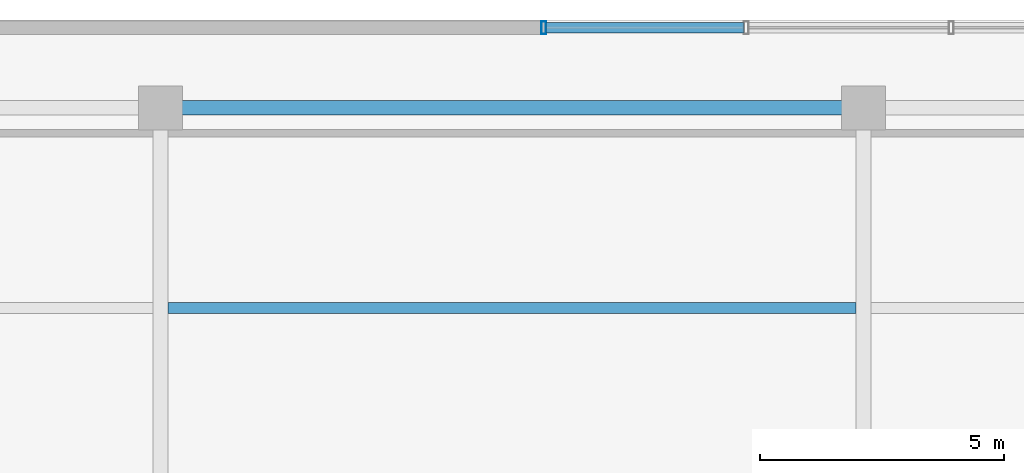
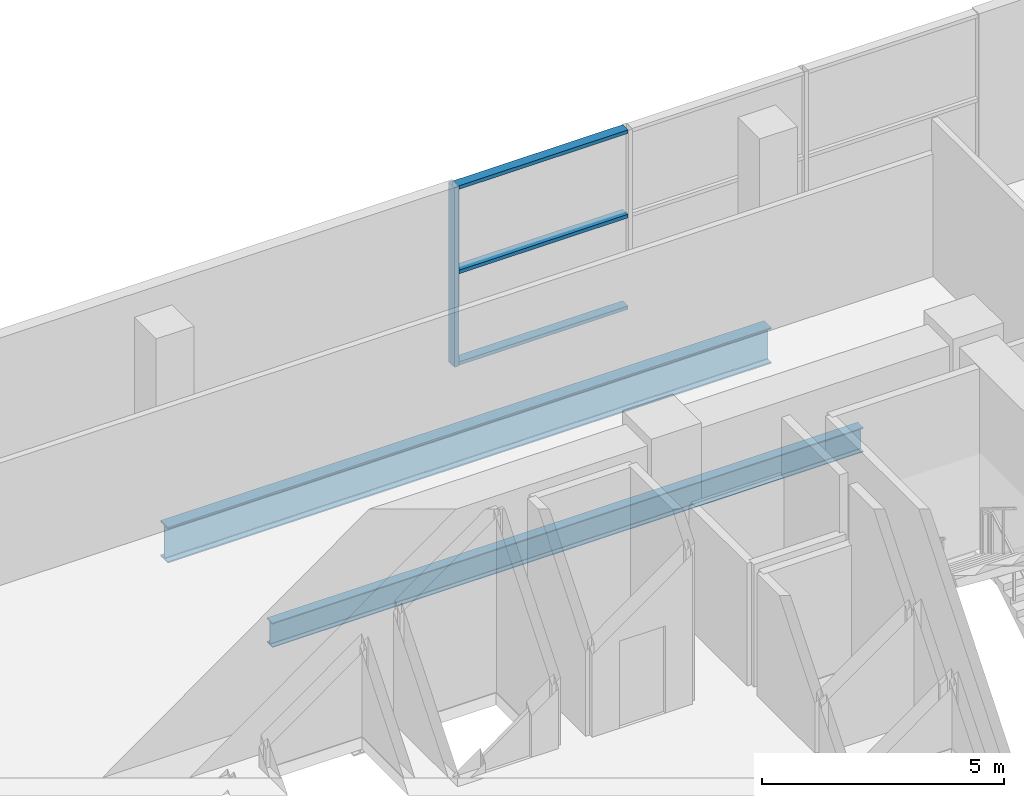
# One storey, part 11 of 22: 4 members, 2 beams, 1 element without a shape of its own.
"""IFC4 building model written with IfcOpenShell, lengths in metres."""

from ifc_helpers import new_model, si_unit, direction, frame, origin, origin_2d, place, context, subcontext, project, spatial, hollow_rectangle, i_section, extrude, source, transform, mapped, material, layer, layer_set, material_profile, profile_set, type_object, element, aggregate, save


model = new_model("IFC4")

# Units and contexts
model_context = context("Model", 3, precision=1e-05, world=origin(), true_north=direction((0.0, 1.0)))
body_context = subcontext(model_context, "Body", "Model", "MODEL_VIEW")
ifc_project = project(units=[si_unit("LENGTHUNIT", "METRE"), si_unit("AREAUNIT", "SQUARE_METRE"), si_unit("VOLUMEUNIT", "CUBIC_METRE"), si_unit("PLANEANGLEUNIT", "RADIAN"), si_unit("MASSUNIT", "GRAM", prefix="KILO")], contexts=[model_context])

# Site, building, storey
site_placement = place(None, origin())
site = spatial("IfcSite", under=ifc_project, at=site_placement, CompositionType="ELEMENT")
building_placement = place(site_placement, origin())
building = spatial("IfcBuilding", under=site, at=building_placement, Name="Zarnakvel Exchange Tower", CompositionType="ELEMENT")
storey_placement = place(building_placement, frame((0.0, 0.0, 22.60009765625)))
storey = spatial("IfcBuildingStorey", under=building, at=storey_placement, Name="L05", CompositionType="ELEMENT", Elevation=22.60009765625)

# Beams
ifc_material_1 = material(Name="Steel S355", Category="steel")
ifc_material_profile_1 = material_profile(ifc_material_1, i_section(OverallWidth=0.230224609375, OverallDepth=0.6171875, WebThickness=0.01318359375, FlangeThickness=0.022216796875, FilletRadius=0.0126953125, at=origin_2d()))
ifc_profile_set_1 = profile_set([ifc_material_profile_1], Name="Steel S355")
beam_type_1 = type_object("IfcBeamType", Name="B-02", PredefinedType="JOIST", material=ifc_profile_set_1)
beam_1_placement = place(storey_placement, frame((0.14990234375, 17.5, -0.608642578125), z_axis=(1.0, 0.0, 0.0), x_axis=(0.0, 1.0, 0.0)))
element("IfcBeam", 1, at=beam_1_placement, inside=storey, type_object=beam_type_1, Name="L05 North Bay Secondary Floor Joist", PredefinedType="JOIST", context=body_context, shape_type="SweptSolid", body=[
    extrude(i_section(OverallWidth=0.230224609375, OverallDepth=0.6171875, WebThickness=0.01318359375, FlangeThickness=0.022216796875, FilletRadius=0.0126953125, at=origin_2d()), origin(), (0.0, 0.0, 1.0), 14.10009765625),
])
ifc_material_profile_2 = material_profile(ifc_material_1, i_section(OverallWidth=0.300048828125, OverallDepth=0.89990234375, WebThickness=0.0185546875, FlangeThickness=0.034912109375, FilletRadius=0.030029296875, at=origin_2d()))
ifc_profile_set_2 = profile_set([ifc_material_profile_2], Name="Steel S355")
beam_type_2 = type_object("IfcBeamType", Name="G-01", PredefinedType="BEAM", material=ifc_profile_set_2)
beam_2_placement = place(storey_placement, frame((0.0, 21.60009765625, -0.75), z_axis=(1.0, 0.0, 0.0), x_axis=(0.0, 1.0, 0.0)))
element("IfcBeam", 2, at=beam_2_placement, inside=storey, type_object=beam_type_2, Name="L05 Primary E-W Girder Y=+21.6", PredefinedType="BEAM", context=body_context, shape_type="SweptSolid", body=[
    extrude(i_section(OverallWidth=0.300048828125, OverallDepth=0.89990234375, WebThickness=0.0185546875, FlangeThickness=0.034912109375, FilletRadius=0.030029296875, at=origin_2d()), origin(), (0.0, 0.0, 1.0), 14.39990234375),
])

# Curtain wall, members
ifc_material_2 = material(Name="Architectural Bronze Anodised Aluminium", Category="aluminium")
ifc_layer = layer(ifc_material_2, 0.260009765625)
ifc_layer_set = layer_set([ifc_layer], Name="Architectural Bronze Anodised Aluminium")
curtain_wall_type = type_object("IfcCurtainWallType", Name="CW-01", PredefinedType="NOTDEFINED", material=ifc_layer_set)
curtain_wall_placement = place(storey_placement, origin())
curtain_wall = element("IfcCurtainWall", 3, at=curtain_wall_placement, inside=storey, type_object=curtain_wall_type, Name="L05 Curtain Wall CW-L05-N2 (CW-01)", PredefinedType="NOTDEFINED")
ifc_material_profile_3 = material_profile(ifc_material_2, hollow_rectangle(XDim=0.219970703125, YDim=0.090087890625, WallThickness=0.0048828125, at=origin_2d()))
ifc_profile_set_3 = profile_set([ifc_material_profile_3], Name="Architectural Bronze Anodised Aluminium")
member_type_1 = type_object("IfcMemberType", Name="CWT-01", PredefinedType="USERDEFINED", material=ifc_profile_set_3)
shared_shape_1 = source(origin(), body_context, "Body", "SweptSolid", [
    extrude(hollow_rectangle(XDim=0.219970703125, YDim=0.090087890625, WallThickness=0.0048828125, at=origin_2d()), origin(), (0.0, 0.0, 1.0), 4.050048828125),
])
member_1_placement = place(storey_placement, frame((7.89990234375, 23.239990234375, 0.044921875), z_axis=(1.0, 0.0, 0.0), x_axis=(0.0, 1.0, 0.0)))
member_1 = element("IfcMember", 4, at=member_1_placement, type_object=member_type_1, Name="CW-01 transom 1.1", ObjectType="TRANSOM", PredefinedType="USERDEFINED", context=body_context, shape_type="MappedRepresentation", body=[
    mapped(shared_shape_1, transform((0.0, 0.0, 0.0), x_axis=(1.0, 0.0, 0.0), y_axis=(0.0, 1.0, 0.0), z_axis=(0.0, 0.0, 1.0), scale=1.0)),
])
member_2_placement = place(storey_placement, frame((7.89990234375, 23.239990234375, 2.35546875), z_axis=(1.0, 0.0, 0.0), x_axis=(0.0, 1.0, 0.0)))
member_2 = element("IfcMember", 5, at=member_2_placement, type_object=member_type_1, Name="CW-01 transom 1.2", ObjectType="TRANSOM", PredefinedType="USERDEFINED", context=body_context, shape_type="MappedRepresentation", body=[
    mapped(shared_shape_1, transform((0.0, 0.0, 0.0), x_axis=(1.0, 0.0, 0.0), y_axis=(0.0, 1.0, 0.0), z_axis=(0.0, 0.0, 1.0), scale=1.0)),
])
member_3_placement = place(storey_placement, frame((7.89990234375, 23.239990234375, 4.48486328125), z_axis=(1.0, 0.0, 0.0), x_axis=(0.0, 1.0, 0.0)))
member_3 = element("IfcMember", 6, at=member_3_placement, type_object=member_type_1, Name="CW-01 transom 1.3", ObjectType="TRANSOM", PredefinedType="USERDEFINED", context=body_context, shape_type="MappedRepresentation", body=[
    mapped(shared_shape_1, transform((0.0, 0.0, 0.0), x_axis=(1.0, 0.0, 0.0), y_axis=(0.0, 1.0, 0.0), z_axis=(0.0, 0.0, 1.0), scale=1.0)),
])
ifc_material_profile_4 = material_profile(ifc_material_2, hollow_rectangle(XDim=0.260009765625, YDim=0.10009765625, WallThickness=0.006103515625, at=origin_2d()))
ifc_profile_set_4 = profile_set([ifc_material_profile_4], Name="Architectural Bronze Anodised Aluminium")
member_type_2 = type_object("IfcMemberType", Name="CWM-01", PredefinedType="MULLION", material=ifc_profile_set_4)
shared_shape_2 = source(origin(), body_context, "Body", "SweptSolid", [
    extrude(hollow_rectangle(XDim=0.260009765625, YDim=0.10009765625, WallThickness=0.006103515625, at=origin_2d()), origin(), (0.0, 0.0, 1.0), 4.52978515625),
])
member_4_placement = place(storey_placement, frame((7.85009765625, 23.239990234375, 0.0), z_axis=(0.0, 0.0, 1.0), x_axis=(0.0, 1.0, 0.0)))
member_4 = element("IfcMember", 7, at=member_4_placement, type_object=member_type_2, Name="CW-01 mullion 1", PredefinedType="MULLION", context=body_context, shape_type="MappedRepresentation", body=[
    mapped(shared_shape_2, transform((0.0, 0.0, 0.0), x_axis=(1.0, 0.0, 0.0), y_axis=(0.0, 1.0, 0.0), z_axis=(0.0, 0.0, 1.0), scale=1.0)),
])
aggregate(curtain_wall, [member_4, member_1, member_2, member_3])

save(model, "model.ifc")
